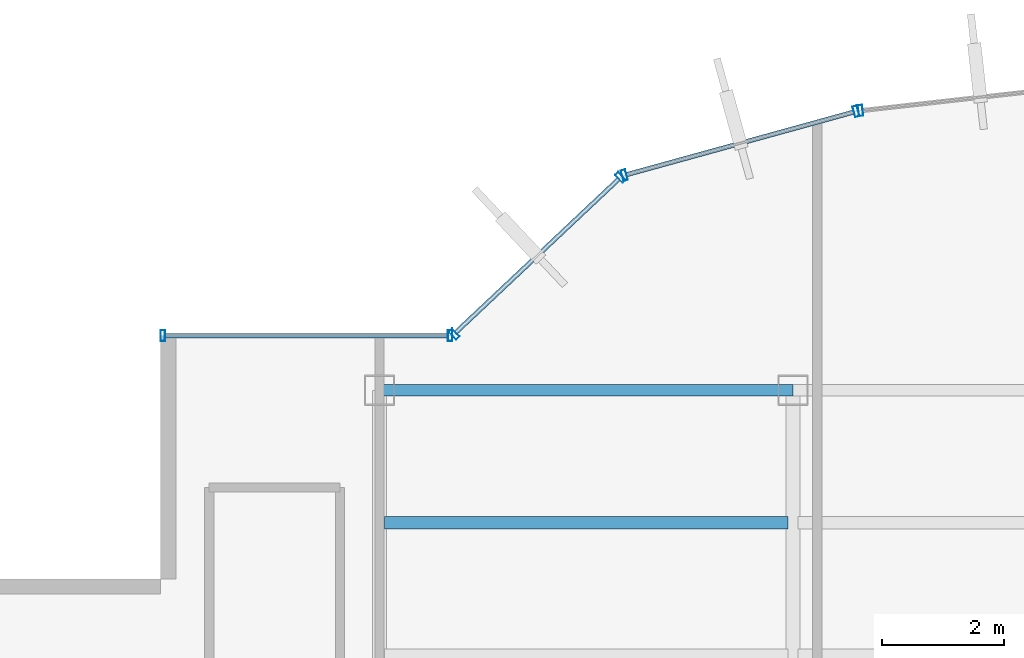
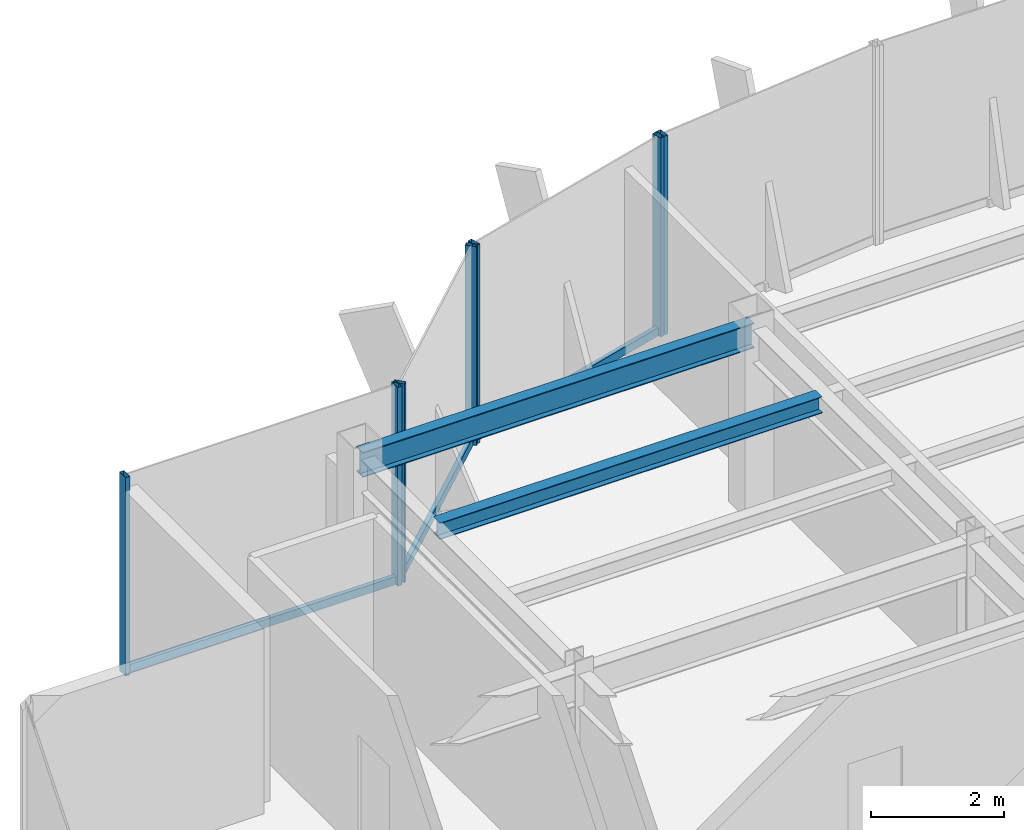
# One storey, part 12 of 22: 10 members, 2 beams, 4 elements without a shape of their own.
"""IFC4 building model written with IfcOpenShell, lengths in metres."""

from ifc_helpers import new_model, si_unit, derived_unit, direction, frame, origin, origin_2d, place, context, subcontext, project, spatial, hollow_rectangle, i_section, extrude, source, transform, mapped, material, material_profile, profile_set, type_object, element, aggregate, save


model = new_model("IFC4")

# Units and contexts
model_context = context("Model", 3, precision=1e-05, world=origin(), true_north=direction((0.0, 1.0)))
body_context = subcontext(model_context, "Body", "Model", "MODEL_VIEW")
ifc_project = project(units=[si_unit("LENGTHUNIT", "METRE"), si_unit("AREAUNIT", "SQUARE_METRE"), si_unit("VOLUMEUNIT", "CUBIC_METRE"), si_unit("PLANEANGLEUNIT", "RADIAN"), si_unit("MASSUNIT", "GRAM", prefix="KILO"), derived_unit("THERMALTRANSMITTANCEUNIT", [(si_unit("POWERUNIT", "WATT"), 1), (si_unit("LENGTHUNIT", "METRE"), -2), (si_unit("THERMODYNAMICTEMPERATUREUNIT", "KELVIN"), -1)])], contexts=[model_context])

# Site, building, storey
site_placement = place(None, origin())
site = spatial("IfcSite", under=ifc_project, at=site_placement, CompositionType="ELEMENT")
building_placement = place(site_placement, origin())
building = spatial("IfcBuilding", under=site, at=building_placement, Name="Skarnbrae Concourse Arena and Tower", CompositionType="ELEMENT")
storey_placement = place(building_placement, frame((0.0, 0.0, 273.39990234375)))
storey = spatial("IfcBuildingStorey", under=building, at=storey_placement, Name="L71", CompositionType="ELEMENT", Elevation=273.39990234375)

# Beams
ifc_material_1 = material(Name="Steel CSA G40.21 350W", Category="steel")
ifc_material_profile_1 = material_profile(ifc_material_1, i_section(OverallWidth=0.19091796875, OverallDepth=0.4599609375, WebThickness=0.010009765625, FlangeThickness=0.01611328125, at=origin_2d()), Name="W460X82")
ifc_profile_set_1 = profile_set([ifc_material_profile_1], Name="Steel CSA G40.21 350W")
beam_type_1 = type_object("IfcBeamType", Name="BM-SPAN-W460X82", PredefinedType="SPANDREL", material=ifc_profile_set_1)
shared_shape_1 = source(origin(), body_context, "Body", "SweptSolid", [
    extrude(i_section(OverallWidth=0.19091796875, OverallDepth=0.4599609375, WebThickness=0.010009765625, FlangeThickness=0.01611328125, at=origin_2d()), origin(), (0.0, 0.0, 1.0), 6.7998046875),
])
beam_1_placement = place(storey_placement, frame((7.60009765625, 34.39990234375, 3.170166015625), z_axis=(1.0, 0.0, 0.0), x_axis=(0.0, 1.0, 0.0)))
element("IfcBeam", 1, at=beam_1_placement, inside=storey, type_object=beam_type_1, Name="L71 Perimeter spandrel Y34.4-1", PredefinedType="SPANDREL", context=body_context, shape_type="MappedRepresentation", body=[
    mapped(shared_shape_1, transform((0.0, 0.0, 0.0))),
])
ifc_material_profile_2 = material_profile(ifc_material_1, i_section(OverallWidth=0.202880859375, OverallDepth=0.302978515625, WebThickness=0.007568359375, FlangeThickness=0.01318359375, at=origin_2d()), Name="W310X60")
ifc_profile_set_2 = profile_set([ifc_material_profile_2], Name="Steel CSA G40.21 350W")
beam_type_2 = type_object("IfcBeamType", Name="BM-JOIST-W310X60", PredefinedType="JOIST", material=ifc_profile_set_2)
shared_shape_2 = source(origin(), body_context, "Body", "SweptSolid", [
    extrude(i_section(OverallWidth=0.202880859375, OverallDepth=0.302978515625, WebThickness=0.007568359375, FlangeThickness=0.01318359375, at=origin_2d()), origin(), (0.0, 0.0, 1.0), 6.64013671875),
])
beam_2_placement = place(storey_placement, frame((7.679931640625, 32.221923828125, 3.24853515625), z_axis=(1.0, 0.0, 0.0), x_axis=(0.0, 1.0, 0.0)))
element("IfcBeam", 2, at=beam_2_placement, inside=storey, type_object=beam_type_2, Name="L71 Secondary floor joist 3.2.1", PredefinedType="JOIST", context=body_context, shape_type="MappedRepresentation", body=[
    mapped(shared_shape_2, transform((0.0, 0.0, 0.0))),
])

# Curtain wall, member
ifc_material_2 = material(Name="Bronze anodised aluminium 6063-T6", Category="aluminium")
curtain_wall_type = type_object("IfcCurtainWallType", Name="CW-SYS-05-HIGHZONE", PredefinedType="USERDEFINED", material=ifc_material_2)
curtain_wall_1_placement = place(storey_placement, origin())
curtain_wall_1 = element("IfcCurtainWall", 3, at=curtain_wall_1_placement, inside=storey, type_object=curtain_wall_type, Name="L71 Unitised curtain wall CW-L71-E15", ObjectType="UNITISED CURTAIN WALL", PredefinedType="USERDEFINED")
ifc_material_profile_3 = material_profile(ifc_material_2, hollow_rectangle(XDim=0.074951171875, YDim=0.14990234375, WallThickness=0.00390625, at=origin_2d()), Name="ALU-TRAN-75X150")
ifc_profile_set_3 = profile_set([ifc_material_profile_3], Name="Bronze anodised aluminium 6063-T6")
member_type_1 = type_object("IfcMemberType", Name="CWT-CW-05", PredefinedType="USERDEFINED", material=ifc_profile_set_3)
shared_shape_3 = source(origin(), body_context, "Body", "SweptSolid", [
    extrude(hollow_rectangle(XDim=0.074951171875, YDim=0.14990234375, WallThickness=0.00390625, at=origin_2d()), origin(), (0.0, 0.0, 1.0), 4.650146484375),
])
member_1_placement = place(storey_placement, frame((8.72509765625, 35.300048828125, 0.0751953125), z_axis=(-1.0, 0.0, 0.0), x_axis=(0.0, -1.0, 0.0)))
member_1 = element("IfcMember", 4, at=member_1_placement, type_object=member_type_1, Name="CW-L71-E15 Transom 1", ObjectType="TRANSOM", PredefinedType="USERDEFINED", context=body_context, shape_type="MappedRepresentation", body=[
    mapped(shared_shape_3, transform((0.0, 0.0, 0.0))),
])

curtain_wall_2_placement = place(storey_placement, origin())
curtain_wall_2 = element("IfcCurtainWall", 5, at=curtain_wall_2_placement, inside=storey, type_object=curtain_wall_type, Name="L71 Unitised curtain wall CW-L71-E14", ObjectType="UNITISED CURTAIN WALL", PredefinedType="USERDEFINED")
shared_shape_4 = source(origin(), body_context, "Body", "SweptSolid", [
    extrude(hollow_rectangle(XDim=0.074951171875, YDim=0.14990234375, WallThickness=0.00390625, at=origin_2d()), origin(), (0.0, 0.0, 1.0), 3.68212890625),
])
member_2_placement = place(storey_placement, frame((11.53564453125, 37.875244140625, 0.0751953125), z_axis=(-0.728133808476, -0.685435012933, 0.0), x_axis=(0.685435012933, -0.728133808476, 0.0)))
member_2 = element("IfcMember", 6, at=member_2_placement, type_object=member_type_1, Name="CW-L71-E14 Transom 1", ObjectType="TRANSOM", PredefinedType="USERDEFINED", context=body_context, shape_type="MappedRepresentation", body=[
    mapped(shared_shape_4, transform((0.0, 0.0, 0.0))),
])

curtain_wall_3_placement = place(storey_placement, origin())
curtain_wall_3 = element("IfcCurtainWall", 7, at=curtain_wall_3_placement, inside=storey, type_object=curtain_wall_type, Name="L71 Unitised curtain wall CW-L71-E13", ObjectType="UNITISED CURTAIN WALL", PredefinedType="USERDEFINED")
shared_shape_5 = source(origin(), body_context, "Body", "SweptSolid", [
    extrude(hollow_rectangle(XDim=0.074951171875, YDim=0.14990234375, WallThickness=0.00390625, at=origin_2d()), origin(), (0.0, 0.0, 1.0), 3.878662109375),
])
member_3_placement = place(storey_placement, frame((15.40185546875, 38.977294921875, 0.0751953125), z_axis=(-0.964042677713, -0.265747465742, 0.0), x_axis=(0.265747465742, -0.964042677713, 0.0)))
member_3 = element("IfcMember", 8, at=member_3_placement, type_object=member_type_1, Name="CW-L71-E13 Transom 1", ObjectType="TRANSOM", PredefinedType="USERDEFINED", context=body_context, shape_type="MappedRepresentation", body=[
    mapped(shared_shape_5, transform((0.0, 0.0, 0.0))),
])

curtain_wall_4_placement = place(storey_placement, origin())
curtain_wall_4 = element("IfcCurtainWall", 9, at=curtain_wall_4_placement, inside=storey, type_object=curtain_wall_type, Name="L71 Unitised curtain wall CW-L71-E12", ObjectType="UNITISED CURTAIN WALL", PredefinedType="USERDEFINED")
ifc_material_profile_4 = material_profile(ifc_material_2, hollow_rectangle(XDim=0.074951171875, YDim=0.179931640625, WallThickness=0.00390625, at=origin_2d()), Name="ALU-MULL-75X180")
ifc_profile_set_4 = profile_set([ifc_material_profile_4], Name="Bronze anodised aluminium 6063-T6")
member_type_2 = type_object("IfcMemberType", Name="CWM-CW-05", PredefinedType="MULLION", material=ifc_profile_set_4)
shared_shape_6 = source(origin(), body_context, "Body", "SweptSolid", [
    extrude(hollow_rectangle(XDim=0.074951171875, YDim=0.179931640625, WallThickness=0.00390625, at=origin_2d()), origin(), (0.0, 0.0, 1.0), 3.650146484375),
])
member_4_placement = place(storey_placement, frame((15.511474609375, 39.001220703125, 0.0), z_axis=(0.0, 0.0, 1.0), x_axis=(-0.993768891873, -0.111460259941, 0.0)))
member_4 = element("IfcMember", 10, at=member_4_placement, type_object=member_type_2, Name="CW-L71-E12 Mullion 2", PredefinedType="MULLION", context=body_context, shape_type="MappedRepresentation", body=[
    mapped(shared_shape_6, transform((0.0, 0.0, 0.0))),
])
aggregate(curtain_wall_4, [member_4])

# Member
member_5_placement = place(storey_placement, frame((15.43798828125, 38.987060546875, 0.0), z_axis=(0.0, 0.0, 1.0), x_axis=(-0.964057388766, -0.265694093207, 0.0)))
member_5 = element("IfcMember", 11, at=member_5_placement, type_object=member_type_2, Name="CW-L71-E13 Mullion 1", PredefinedType="MULLION", context=body_context, shape_type="MappedRepresentation", body=[
    mapped(shared_shape_6, transform((0.0, 0.0, 0.0))),
])

member_6_placement = place(storey_placement, frame((11.62646484375, 37.936767578125, 0.0), z_axis=(0.0, 0.0, 1.0), x_axis=(-0.964057388766, -0.265694093207, 0.0)))
member_6 = element("IfcMember", 12, at=member_6_placement, type_object=member_type_2, Name="CW-L71-E13 Mullion 2", PredefinedType="MULLION", context=body_context, shape_type="MappedRepresentation", body=[
    mapped(shared_shape_6, transform((0.0, 0.0, 0.0))),
])

aggregate(curtain_wall_3, [member_5, member_6, member_3])

member_7_placement = place(storey_placement, frame((11.56298828125, 37.90087890625, 0.0), z_axis=(0.0, 0.0, 1.0), x_axis=(-0.728130555214, -0.685438468838, 0.0)))
member_7 = element("IfcMember", 13, at=member_7_placement, type_object=member_type_2, Name="CW-L71-E14 Mullion 1", PredefinedType="MULLION", context=body_context, shape_type="MappedRepresentation", body=[
    mapped(shared_shape_6, transform((0.0, 0.0, 0.0))),
])

member_8_placement = place(storey_placement, frame((8.827392578125, 35.32568359375, 0.0), z_axis=(0.0, 0.0, 1.0), x_axis=(-0.728130555214, -0.685438468838, 0.0)))
member_8 = element("IfcMember", 14, at=member_8_placement, type_object=member_type_2, Name="CW-L71-E14 Mullion 2", PredefinedType="MULLION", context=body_context, shape_type="MappedRepresentation", body=[
    mapped(shared_shape_6, transform((0.0, 0.0, 0.0))),
])

aggregate(curtain_wall_2, [member_7, member_8, member_2])

member_9_placement = place(storey_placement, frame((8.762451171875, 35.300048828125, 0.0), z_axis=(0.0, 0.0, 1.0), x_axis=(-1.0, 0.0, 0.0)))
member_9 = element("IfcMember", 15, at=member_9_placement, type_object=member_type_2, Name="CW-L71-E15 Mullion 1", PredefinedType="MULLION", context=body_context, shape_type="MappedRepresentation", body=[
    mapped(shared_shape_6, transform((0.0, 0.0, 0.0))),
])

member_10_placement = place(storey_placement, frame((4.03759765625, 35.300048828125, 0.0), z_axis=(0.0, 0.0, 1.0), x_axis=(-1.0, 0.0, 0.0)))
member_10 = element("IfcMember", 16, at=member_10_placement, type_object=member_type_2, Name="CW-L71-E15 Mullion 2", PredefinedType="MULLION", context=body_context, shape_type="MappedRepresentation", body=[
    mapped(shared_shape_6, transform((0.0, 0.0, 0.0))),
])

aggregate(curtain_wall_1, [member_9, member_10, member_1])

save(model, "model.ifc")
